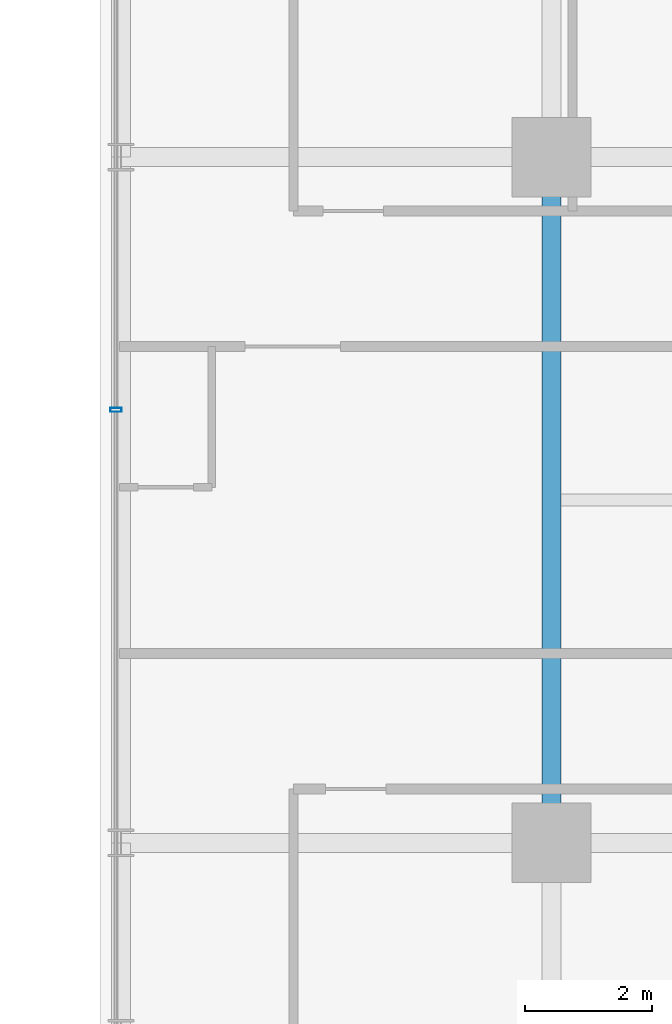
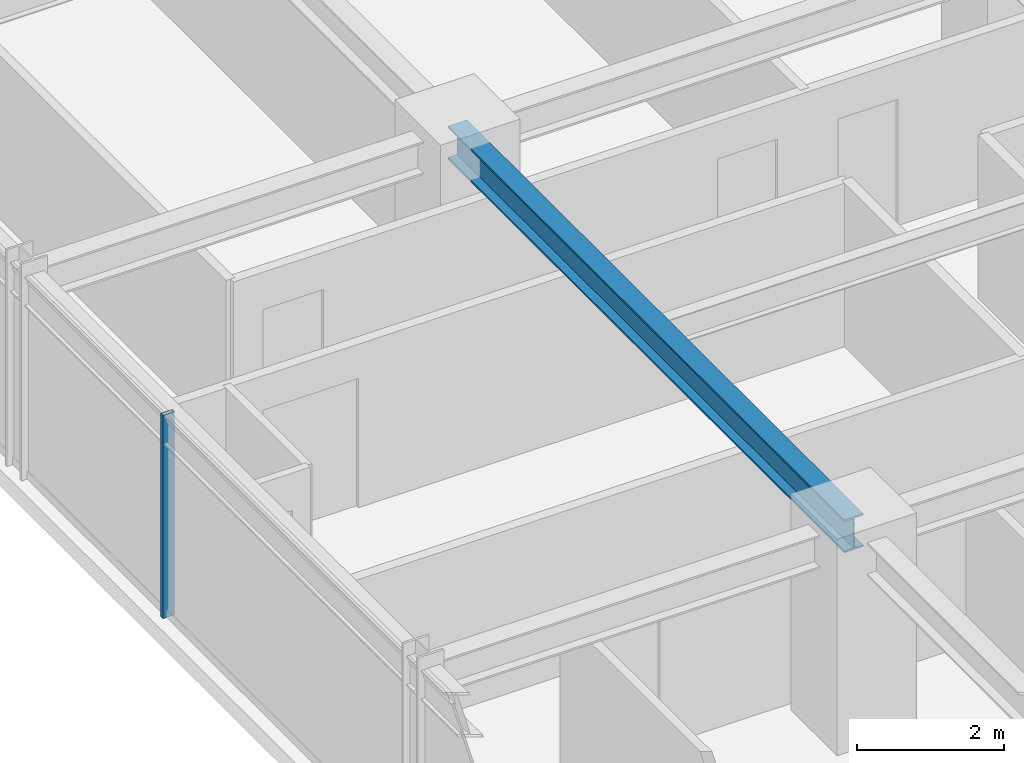
# One storey, part 8 of 31: 1 beam, 1 member, 1 element without a shape of its own.
"""IFC4 building model written with IfcOpenShell, lengths in metres."""

from ifc_helpers import new_model, si_unit, direction, frame, origin, origin_2d, place, context, subcontext, project, spatial, hollow_rectangle, i_section, extrude, source, transform, mapped, material, material_profile, profile_set, type_object, element, aggregate, save


model = new_model("IFC4")

# Units and contexts
model_context = context("Model", 3, precision=1e-05, world=origin(), true_north=direction((0.0, 1.0)))
body_context = subcontext(model_context, "Body", "Model", "MODEL_VIEW")
ifc_project = project(units=[si_unit("LENGTHUNIT", "METRE"), si_unit("AREAUNIT", "SQUARE_METRE"), si_unit("VOLUMEUNIT", "CUBIC_METRE"), si_unit("PLANEANGLEUNIT", "RADIAN"), si_unit("MASSUNIT", "GRAM", prefix="KILO")], contexts=[model_context])

# Site, building, storey
site_placement = place(None, origin())
site = spatial("IfcSite", under=ifc_project, at=site_placement, CompositionType="ELEMENT")
building_placement = place(site_placement, origin())
building = spatial("IfcBuilding", under=site, at=building_placement, Name="Nahalor Promenade Grand Hotel", CompositionType="ELEMENT")
storey_placement = place(building_placement, frame((0.0, 0.0, 95.60009765625)))
storey = spatial("IfcBuildingStorey", under=building, at=storey_placement, Name="L23", CompositionType="ELEMENT", Elevation=95.60009765625)

# Beam
ifc_material_1 = material(Name="Steel S355JR", Category="steel")
ifc_material_profile_1 = material_profile(ifc_material_1, i_section(OverallWidth=0.3, OverallDepth=0.55, WebThickness=0.015, FlangeThickness=0.029, at=origin_2d()), Name="HEB 550")
ifc_profile_set_1 = profile_set([ifc_material_profile_1], Name="Steel S355JR")
beam_type = type_object("IfcBeamType", Name="Beam-Girder-HEB550", PredefinedType="BEAM", material=ifc_profile_set_1)
shared_shape_1 = source(origin(), body_context, "Body", "SweptSolid", [
    extrude(i_section(OverallWidth=0.3, OverallDepth=0.55, WebThickness=0.015, FlangeThickness=0.029, at=origin_2d()), origin(), (0.0, 0.0, 1.0), 10.7998046875),
])
beam_placement = place(storey_placement, frame((-17.0, -5.39990234375, 3.10498046875), z_axis=(0.0, 1.0, 0.0), x_axis=(-1.0, 0.0, 0.0)))
element("IfcBeam", 1, at=beam_placement, inside=storey, type_object=beam_type, Name="BM-L23-GY-0-2", PredefinedType="BEAM", context=body_context, shape_type="MappedRepresentation", body=[
    mapped(shared_shape_1, transform((0.0, 0.0, 0.0), scale=1.0)),
])

# Curtain wall, member
ifc_material_2 = material(Name="Anodised Bronze Aluminium EN AW-6063 T6", Category="aluminium")
curtain_wall_type = type_object("IfcCurtainWallType", Name="CW2 Typical Hotel Flush Bronze Unitised Curtain Wall", PredefinedType="USERDEFINED", material=ifc_material_2)
curtain_wall_placement = place(storey_placement, origin())
curtain_wall = element("IfcCurtainWall", 2, at=curtain_wall_placement, inside=storey, type_object=curtain_wall_type, Name="L23 Curtain Wall CW-L23-W-3", ObjectType="UNITISED_CURTAIN_WALL", PredefinedType="USERDEFINED")
ifc_material_profile_2 = material_profile(ifc_material_2, hollow_rectangle(XDim=0.065, YDim=0.18, WallThickness=0.004, at=origin_2d()), Name="CWM 65x180x4")
ifc_profile_set_2 = profile_set([ifc_material_profile_2], Name="Anodised Bronze Aluminium EN AW-6063 T6")
member_type = type_object("IfcMemberType", Name="CWM2 Typical Bronze Mullion 65x180", PredefinedType="MULLION", material=ifc_profile_set_2)
shared_shape_2 = source(origin(), body_context, "Body", "SweptSolid", [
    extrude(hollow_rectangle(XDim=0.065, YDim=0.18, WallThickness=0.004, at=origin_2d()), origin(), (0.0, 0.0, 1.0), 3.3798828125),
])
member_placement = place(storey_placement, frame((-23.860107421875, 1.419921875, 0.0), z_axis=(0.0, 0.0, 1.0), x_axis=(0.0, 1.0, 0.0)))
member = element("IfcMember", 3, at=member_placement, type_object=member_type, Name="CW-L23-W-3 Mullion 1", PredefinedType="MULLION", context=body_context, shape_type="MappedRepresentation", body=[
    mapped(shared_shape_2, transform((0.0, 0.0, 0.0), scale=1.0)),
])
aggregate(curtain_wall, [member])

save(model, "model.ifc")
